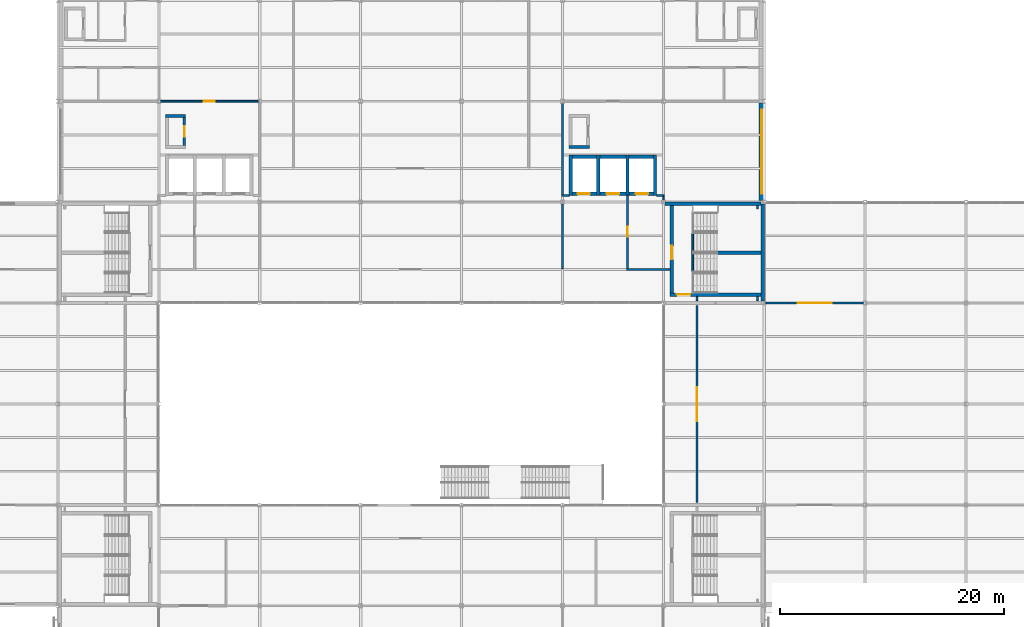
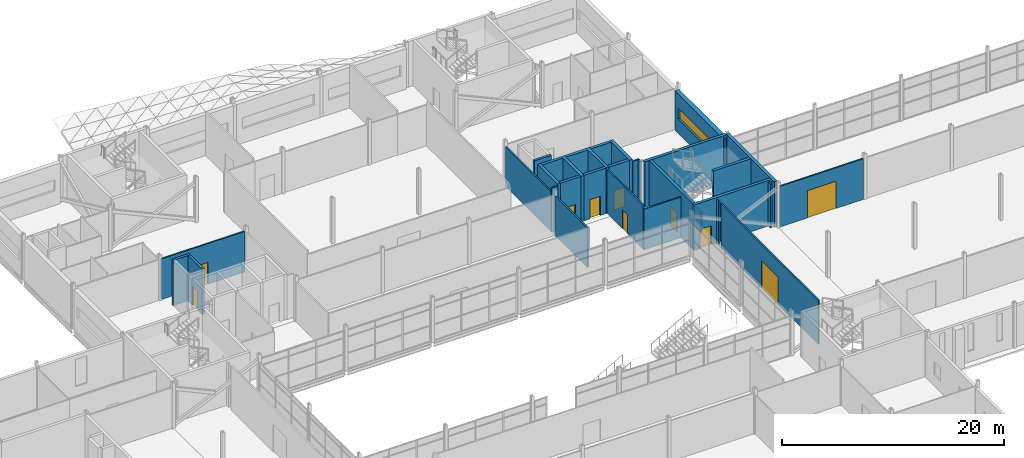
# One storey, part 85 of 112: 33 walls, 10 doors, 1 window, 11 openings.
"""IFC4 building model written with IfcOpenShell, lengths in metres."""

from ifc_helpers import new_model, si_unit, direction, frame, frame_2d, origin, place, context, subcontext, project, spatial, rectangle, extrude, material, layer, layer_set, type_object, element, fill, save


model = new_model("IFC4")

# Units and contexts
model_context = context("Model", 3, precision=1e-05, world=origin(), true_north=direction((0.0, 1.0)))
body_context = subcontext(model_context, "Body", "Model", "MODEL_VIEW")
ifc_project = project(units=[si_unit("LENGTHUNIT", "METRE"), si_unit("AREAUNIT", "SQUARE_METRE"), si_unit("VOLUMEUNIT", "CUBIC_METRE"), si_unit("PLANEANGLEUNIT", "RADIAN"), si_unit("MASSUNIT", "GRAM", prefix="KILO")], contexts=[model_context])

# Site, building, storey
site_placement = place(None, origin())
site = spatial("IfcSite", under=ifc_project, at=site_placement, CompositionType="ELEMENT")
building_placement = place(site_placement, origin())
building = spatial("IfcBuilding", under=site, at=building_placement, Name="Shorebreak Coast Museum", CompositionType="ELEMENT")
storey_placement = place(building_placement, frame((0.0, 0.0, 6.0)))
storey = spatial("IfcBuildingStorey", under=building, at=storey_placement, Name="L01", CompositionType="ELEMENT", Elevation=6.0)

# Wall, opening, window
ifc_material_1 = material(Name="Concrete N50 (50 MPa)", Category="concrete")
ifc_layer_1 = layer(ifc_material_1, 0.449951171875)
ifc_layer_set_1 = layer_set([ifc_layer_1], Name="Concrete N50 (50 MPa)")
wall_type_1 = type_object("IfcWallType", Name="Deep-set precast panel 450", PredefinedType="SOLIDWALL", material=ifc_layer_set_1)
wall_1_placement = place(storey_placement, frame((116.77490234375, 90.16357421875, 0.0), z_axis=(0.0, 0.0, 1.0), x_axis=(0.0, 1.0, 0.0)))
wall_1 = element("IfcWall", 1, at=wall_1_placement, inside=storey, type_object=wall_type_1, Name="External wall L01 E 14L", PredefinedType="SOLIDWALL", context=body_context, shape_type="SweptSolid", body=[
    extrude(rectangle(XDim=8.675537109375, YDim=0.449951171875, at=frame_2d((4.337890625, 0.0))), origin(), (0.0, 0.0, 1.0), 4.364501953125),
])
opening_1_placement = place(wall_1_placement, frame((0.58642578125, 0.0, 1.60009765625)))
opening_1 = element("IfcOpeningElement", 2, at=opening_1_placement, cuts=wall_1, Name="Opening WN1014", PredefinedType="OPENING", context=body_context, shape_type="SweptSolid", body=[
    extrude(rectangle(XDim=7.5, YDim=1.199951171875, at=frame_2d((3.75, 0.60009765625))), frame((0.0, 0.23486328125, 0.0), z_axis=(0.0, -1.0, 0.0), x_axis=(1.0, 0.0, 0.0)), (0.0, 0.0, 1.0), 0.469970703125),
])
ifc_material_2 = material(Name="Aluminium", Category="aluminium")
window_type = type_object("IfcWindowType", Name="Ribbon window 7500 x 1200", PartitioningType="SINGLE_PANEL", PredefinedType="WINDOW", material=ifc_material_2)
window_placement = place(opening_1_placement, origin())
window = element("IfcWindow", 3, at=window_placement, inside=storey, type_object=window_type, Name="Window WN1014", OverallHeight=1.199951171875, OverallWidth=7.5, PartitioningType="SINGLE_PANEL", PredefinedType="WINDOW", context=body_context, shape_type="SweptSolid", body=[
    extrude(rectangle(XDim=7.5, YDim=1.199951171875, at=frame_2d((3.75, 0.60009765625))), frame((0.0, 0.030029296875, 0.0), z_axis=(0.0, -1.0, 0.0), x_axis=(1.0, 0.0, 0.0)), (0.0, 0.0, 1.0), 0.06005859375),
])
fill(opening_1, window)

# Wall, opening, door
ifc_material_3 = material(Name="Plasterboard on steel stud", Category="steel")
ifc_layer_2 = layer(ifc_material_3, 0.14990234375)
ifc_layer_set_2 = layer_set([ifc_layer_2], Name="Plasterboard on steel stud")
wall_type_2 = type_object("IfcWallType", Name="Fire partition 150", PredefinedType="PARTITIONING", material=ifc_layer_set_2)
wall_2_placement = place(storey_placement, frame((117.154541015625, 81.0, 0.0), z_axis=(0.0, 0.0, 1.0), x_axis=(1.0, 0.0, 0.0)))
wall_2 = element("IfcWall", 4, at=wall_2_placement, inside=storey, type_object=wall_type_2, Name="Partition L01-052", PredefinedType="PARTITIONING", context=body_context, shape_type="SweptSolid", body=[
    extrude(rectangle(XDim=8.69091796875, YDim=0.14990234375, at=frame_2d((4.345458984375, 0.0))), origin(), (0.0, 0.0, 1.0), 4.469482421875),
])
opening_2_placement = place(wall_2_placement, frame((2.85009765625, 0.0, 0.0)))
opening_2 = element("IfcOpeningElement", 5, at=opening_2_placement, cuts=wall_2, Name="Opening D1057", PredefinedType="OPENING", context=body_context, shape_type="SweptSolid", body=[
    extrude(rectangle(XDim=3.0, YDim=3.0, at=frame_2d((1.5, 1.5))), frame((0.0, 0.0849609375, 0.0), z_axis=(0.0, -1.0, 0.0), x_axis=(1.0, 0.0, 0.0)), (0.0, 0.0, 1.0), 0.169921875),
])
ifc_material_4 = material(Name="Steel", Category="steel")
door_type_1 = type_object("IfcDoorType", Name="Fire door 3000x3000 60", OperationType="DOUBLE_DOOR_SINGLE_SWING", PredefinedType="DOOR", material=ifc_material_4)
door_1_placement = place(opening_2_placement, origin())
door_1 = element("IfcDoor", 6, at=door_1_placement, inside=storey, type_object=door_type_1, Name="Door D1057 Temporary Gallery 1.02", OperationType="DOUBLE_DOOR_SINGLE_SWING", OverallHeight=3.0, OverallWidth=3.0, PredefinedType="DOOR", context=body_context, shape_type="SweptSolid", body=[
    extrude(rectangle(XDim=3.0, YDim=3.0, at=frame_2d((1.5, 1.5))), frame((0.0, 0.02490234375, 0.0), z_axis=(0.0, -1.0, 0.0), x_axis=(1.0, 0.0, 0.0)), (0.0, 0.0, 1.0), 0.050048828125),
])
fill(opening_2, door_1)

# Walls
wall_3_placement = place(storey_placement, frame((104.72509765625, 84.0, 0.0), z_axis=(0.0, 0.0, 1.0), x_axis=(1.0, 0.0, 0.0)))
element("IfcWall", 7, at=wall_3_placement, inside=storey, type_object=wall_type_2, Name="Partition L01-061", PredefinedType="PARTITIONING", context=body_context, shape_type="SweptSolid", body=[
    extrude(rectangle(XDim=3.875, YDim=0.14990234375, at=frame_2d((1.9375, 0.0))), origin(), (0.0, 0.0, 1.0), 4.472900390625),
])
for number, where, z_axis, x_axis, name in (
    (8, (98.925048828125, 90.60009765625, 0.0), (0.0, 0.0, 1.0), (1.0, 0.0, 0.0), "Partition L01-067"),
    (9, (107.39990234375, 90.60009765625, 0.0), (0.0, 0.0, 1.0), (1.0, 0.0, 0.0), "Partition L01-068"),
):
    element("IfcWall", number, at=place(storey_placement, frame(where, z_axis=z_axis, x_axis=x_axis)), inside=storey, type_object=wall_type_2, Name=name, PredefinedType="PARTITIONING", context=body_context, shape_type="SweptSolid", body=[
        extrude(rectangle(XDim=0.675048828125, YDim=0.14990234375, at=frame_2d((0.33740234375, 0.0))), origin(), (0.0, 0.0, 1.0), 4.824951171875),
    ])

# Wall, opening, door
wall_4_placement = place(storey_placement, frame((63.154541015625, 99.0, 0.0), z_axis=(0.0, 0.0, 1.0), x_axis=(1.0, 0.0, 0.0)))
wall_4 = element("IfcWall", 10, at=wall_4_placement, inside=storey, type_object=wall_type_2, Name="Partition L01-071", PredefinedType="PARTITIONING", context=body_context, shape_type="SweptSolid", body=[
    extrude(rectangle(XDim=8.69091796875, YDim=0.14990234375, at=frame_2d((4.345458984375, 0.0))), origin(), (0.0, 0.0, 1.0), 4.46630859375),
])
opening_3_placement = place(wall_4_placement, frame((3.85009765625, 0.0, 0.0)))
opening_3 = element("IfcOpeningElement", 11, at=opening_3_placement, cuts=wall_4, Name="Opening D1005", PredefinedType="OPENING", context=body_context, shape_type="SweptSolid", body=[
    extrude(rectangle(XDim=1.0, YDim=2.39990234375, at=frame_2d((0.5, 1.199951171875))), frame((0.0, 0.0849609375, 0.0), z_axis=(0.0, -1.0, 0.0), x_axis=(1.0, 0.0, 0.0)), (0.0, 0.0, 1.0), 0.169921875),
])
ifc_material_5 = material(Name="Steel", Category="steel")
door_type_2 = type_object("IfcDoorType", Name="Fire door 1000x2400 60", OperationType="SINGLE_SWING_LEFT", PredefinedType="DOOR", material=ifc_material_5)
door_2_placement = place(opening_3_placement, origin())
door_2 = element("IfcDoor", 12, at=door_2_placement, inside=storey, type_object=door_type_2, Name="Door D1005 Lift Services Room W", OperationType="SINGLE_SWING_RIGHT", OverallHeight=2.39990234375, OverallWidth=1.0, PredefinedType="DOOR", context=body_context, shape_type="SweptSolid", body=[
    extrude(rectangle(XDim=1.0, YDim=2.39990234375, at=frame_2d((0.5, 1.199951171875))), frame((0.0, 0.02490234375, 0.0), z_axis=(0.0, -1.0, 0.0), x_axis=(1.0, 0.0, 0.0)), (0.0, 0.0, 1.0), 0.050048828125),
])
fill(opening_3, door_2)

# Walls
wall_5_placement = place(storey_placement, frame((99.0, 84.074951171875, 0.0), z_axis=(0.0, 0.0, 1.0), x_axis=(0.0, 1.0, 0.0)))
element("IfcWall", 13, at=wall_5_placement, inside=storey, type_object=wall_type_2, Name="Partition L01-146", PredefinedType="PARTITIONING", context=body_context, shape_type="SweptSolid", body=[
    extrude(rectangle(XDim=5.761474609375, YDim=0.14990234375, at=frame_2d((2.880859375, 0.0))), origin(), (0.0, 0.0, 1.0), 4.364501953125),
])
wall_6_placement = place(storey_placement, frame((99.0, 90.675048828125, 0.0), z_axis=(0.0, 0.0, 1.0), x_axis=(0.0, 1.0, 0.0)))
element("IfcWall", 14, at=wall_6_placement, inside=storey, type_object=wall_type_2, Name="Partition L01-147", PredefinedType="PARTITIONING", context=body_context, shape_type="SweptSolid", body=[
    extrude(rectangle(XDim=8.16455078125, YDim=0.14990234375, at=frame_2d((4.082275390625, 0.0))), origin(), (0.0, 0.0, 1.0), 4.364501953125),
])

# Wall, opening, door
wall_7_placement = place(storey_placement, frame((104.800048828125, 84.074951171875, 0.0), z_axis=(0.0, 0.0, 1.0), x_axis=(0.0, 1.0, 0.0)))
wall_7 = element("IfcWall", 15, at=wall_7_placement, inside=storey, type_object=wall_type_2, Name="Partition L01-150", PredefinedType="PARTITIONING", context=body_context, shape_type="SweptSolid", body=[
    extrude(rectangle(XDim=6.525146484375, YDim=0.14990234375, at=frame_2d((3.2626953125, 0.0))), origin(), (0.0, 0.0, 1.0), 4.824951171875),
])
opening_4_placement = place(wall_7_placement, frame((2.85009765625, 0.0, 0.0)))
opening_4 = element("IfcOpeningElement", 16, at=opening_4_placement, cuts=wall_7, Name="Opening D1002", PredefinedType="OPENING", context=body_context, shape_type="SweptSolid", body=[
    extrude(rectangle(XDim=0.89990234375, YDim=2.10009765625, at=frame_2d((0.449951171875, 1.050048828125))), frame((0.0, 0.0849609375, 0.0), z_axis=(0.0, -1.0, 0.0), x_axis=(1.0, 0.0, 0.0)), (0.0, 0.0, 1.0), 0.169921875),
])
ifc_material_6 = material(Name="Steel", Category="steel")
door_type_3 = type_object("IfcDoorType", Name="Fire door 900x2100 60", OperationType="SINGLE_SWING_LEFT", PredefinedType="DOOR", material=ifc_material_6)
door_3_placement = place(opening_4_placement, origin())
door_3 = element("IfcDoor", 17, at=door_3_placement, inside=storey, type_object=door_type_3, Name="Door D1002 Firefighting Lift Lobby E", OperationType="SINGLE_SWING_RIGHT", OverallHeight=2.10009765625, OverallWidth=0.89990234375, PredefinedType="DOOR", context=body_context, shape_type="SweptSolid", body=[
    extrude(rectangle(XDim=0.89990234375, YDim=2.10009765625, at=frame_2d((0.449951171875, 1.050048828125))), frame((0.0, 0.02490234375, 0.0), z_axis=(0.0, -1.0, 0.0), x_axis=(1.0, 0.0, 0.0)), (0.0, 0.0, 1.0), 0.050048828125),
])
fill(opening_4, door_3)

# Wall
wall_8_placement = place(storey_placement, frame((108.0, 90.16357421875, 0.0), z_axis=(0.0, 0.0, 1.0), x_axis=(0.0, 1.0, 0.0)))
element("IfcWall", 18, at=wall_8_placement, inside=storey, type_object=wall_type_2, Name="Partition L01-156", PredefinedType="PARTITIONING", context=body_context, shape_type="SweptSolid", body=[
    extrude(rectangle(XDim=0.361328125, YDim=0.14990234375, at=frame_2d((0.1806640625, 0.0))), origin(), (0.0, 0.0, 1.0), 4.824951171875),
])

# Wall, opening, door
wall_9_placement = place(storey_placement, frame((111.0, 63.219970703125, 0.0), z_axis=(0.0, 0.0, 1.0), x_axis=(0.0, 1.0, 0.0)))
wall_9 = element("IfcWall", 19, at=wall_9_placement, inside=storey, type_object=wall_type_2, Name="Partition L01-162", PredefinedType="PARTITIONING", context=body_context, shape_type="SweptSolid", body=[
    extrude(rectangle(XDim=17.56005859375, YDim=0.14990234375, at=frame_2d((8.780029296875, 0.0))), origin(), (0.0, 0.0, 1.0), 4.824951171875),
])
opening_5_placement = place(wall_9_placement, frame((7.25, 0.0, 0.0)))
opening_5 = element("IfcOpeningElement", 20, at=opening_5_placement, cuts=wall_9, Name="Opening D1060", PredefinedType="OPENING", context=body_context, shape_type="SweptSolid", body=[
    extrude(rectangle(XDim=3.0, YDim=3.0, at=frame_2d((1.5, 1.5))), frame((0.0, 0.0849609375, 0.0), z_axis=(0.0, -1.0, 0.0), x_axis=(1.0, 0.0, 0.0)), (0.0, 0.0, 1.0), 0.169921875),
])
door_4_placement = place(opening_5_placement, origin())
door_4 = element("IfcDoor", 21, at=door_4_placement, inside=storey, type_object=door_type_1, Name="Door D1060 Temporary Gallery 1.02", OperationType="DOUBLE_DOOR_SINGLE_SWING", OverallHeight=3.0, OverallWidth=3.0, PredefinedType="DOOR", context=body_context, shape_type="SweptSolid", body=[
    extrude(rectangle(XDim=3.0, YDim=3.0, at=frame_2d((1.5, 1.5))), frame((0.0, 0.02490234375, 0.0), z_axis=(0.0, -1.0, 0.0), x_axis=(1.0, 0.0, 0.0)), (0.0, 0.0, 1.0), 0.050048828125),
])
fill(opening_5, door_4)

# Walls
for number, where, z_axis, x_axis, name in (
    (22, (111.0, 81.219970703125, 0.0), (0.0, 0.0, 1.0), (0.0, 1.0, 0.0), "Partition L01-163"),
    (23, (116.39990234375, 81.219970703125, 0.0), (0.0, 0.0, 1.0), (0.0, 1.0, 0.0), "Partition L01-172"),
):
    element("IfcWall", number, at=place(storey_placement, frame(where, z_axis=z_axis, x_axis=x_axis)), inside=storey, type_object=wall_type_2, Name=name, PredefinedType="PARTITIONING", context=body_context, shape_type="SweptSolid", body=[
        extrude(rectangle(XDim=0.380126953125, YDim=0.14990234375, at=frame_2d((0.18994140625, 0.0))), origin(), (0.0, 0.0, 1.0), 4.824951171875),
    ])
wall_10_placement = place(storey_placement, frame((116.39990234375, 89.39990234375, 0.0), z_axis=(0.0, 0.0, 1.0), x_axis=(0.0, 1.0, 0.0)))
element("IfcWall", 24, at=wall_10_placement, inside=storey, type_object=wall_type_2, Name="Partition L01-173", PredefinedType="PARTITIONING", context=body_context, shape_type="SweptSolid", body=[
    extrude(rectangle(XDim=0.300048828125, YDim=0.14990234375, at=frame_2d((0.14990234375, 0.0))), origin(), (0.0, 0.0, 1.0), 4.824951171875),
])
ifc_material_7 = material(Name="Concrete N50 (50 MPa)", Category="concrete")
ifc_layer_3 = layer(ifc_material_7, 0.25)
ifc_layer_set_3 = layer_set([ifc_layer_3], Name="Concrete N50 (50 MPa)")
wall_type_3 = type_object("IfcWallType", Name="RC riser wall 250", PredefinedType="STANDARD", material=ifc_layer_set_3)
wall_11_placement = place(storey_placement, frame((63.60009765625, 97.675048828125, 0.0), z_axis=(0.0, 0.0, 1.0), x_axis=(1.0, 0.0, 0.0)))
element("IfcWall", 25, at=wall_11_placement, inside=storey, type_object=wall_type_3, Name="Riser wall R-LBW L01 N", PredefinedType="STANDARD", context=body_context, shape_type="SweptSolid", body=[
    extrude(rectangle(XDim=1.7998046875, YDim=0.25, at=frame_2d((0.89990234375, 0.0))), origin(), (0.0, 0.0, 1.0), 5.0),
])

# Wall, opening, door
wall_12_placement = place(storey_placement, frame((65.27490234375, 95.050048828125, 0.0), z_axis=(0.0, 0.0, 1.0), x_axis=(0.0, 1.0, 0.0)))
wall_12 = element("IfcWall", 26, at=wall_12_placement, inside=storey, type_object=wall_type_3, Name="Riser wall R-LBW L01 E", PredefinedType="STANDARD", context=body_context, shape_type="SweptSolid", body=[
    extrude(rectangle(XDim=2.5, YDim=0.25, at=frame_2d((1.25, 0.0))), origin(), (0.0, 0.0, 1.0), 5.0),
])
opening_6_placement = place(wall_12_placement, frame((0.800048828125, 0.0, 0.0)))
opening_6 = element("IfcOpeningElement", 27, at=opening_6_placement, cuts=wall_12, Name="Opening D1606", PredefinedType="OPENING", context=body_context, shape_type="SweptSolid", body=[
    extrude(rectangle(XDim=0.89990234375, YDim=2.10009765625, at=frame_2d((0.449951171875, 1.050048828125))), frame((0.0, 0.135009765625, 0.0), z_axis=(0.0, -1.0, 0.0), x_axis=(1.0, 0.0, 0.0)), (0.0, 0.0, 1.0), 0.27001953125),
])
ifc_material_8 = material(Name="Steel Grade 300", Category="steel")
door_type_4 = type_object("IfcDoorType", Name="Riser door 900x2100", OperationType="SINGLE_SWING_LEFT", PredefinedType="DOOR", material=ifc_material_8)
door_5_placement = place(opening_6_placement, origin())
door_5 = element("IfcDoor", 28, at=door_5_placement, inside=storey, type_object=door_type_4, Name="Riser door R-LBW L01", OperationType="SINGLE_SWING_LEFT", OverallHeight=2.10009765625, OverallWidth=0.89990234375, PredefinedType="DOOR", context=body_context, shape_type="SweptSolid", body=[
    extrude(rectangle(XDim=0.89990234375, YDim=2.10009765625, at=frame_2d((0.449951171875, 1.050048828125))), frame((0.0, 0.02490234375, 0.0), z_axis=(0.0, -1.0, 0.0), x_axis=(1.0, 0.0, 0.0)), (0.0, 0.0, 1.0), 0.050048828125),
])
fill(opening_6, door_5)

# Wall
wall_13_placement = place(storey_placement, frame((99.60009765625, 94.925048828125, 0.0), z_axis=(0.0, 0.0, 1.0), x_axis=(1.0, 0.0, 0.0)))
element("IfcWall", 29, at=wall_13_placement, inside=storey, type_object=wall_type_3, Name="Riser wall R-LBE L01 S", PredefinedType="STANDARD", context=body_context, shape_type="SweptSolid", body=[
    extrude(rectangle(XDim=1.7998046875, YDim=0.25, at=frame_2d((0.89990234375, 0.0))), origin(), (0.0, 0.0, 1.0), 5.0),
])

# Wall, opening, door
ifc_material_9 = material(Name="Concrete N50 (50 MPa)", Category="concrete")
ifc_layer_4 = layer(ifc_material_9, 0.300048828125)
ifc_layer_set_4 = layer_set([ifc_layer_4], Name="Concrete N50 (50 MPa)")
wall_type_4 = type_object("IfcWallType", Name="RC wall 300", PredefinedType="SHEAR", material=ifc_layer_set_4)
wall_14_placement = place(storey_placement, frame((108.60009765625, 81.75, 0.0), z_axis=(0.0, 0.0, 1.0), x_axis=(1.0, 0.0, 0.0)))
wall_14 = element("IfcWall", 30, at=wall_14_placement, inside=storey, type_object=wall_type_4, Name="Stair core wall ST04 L01 S", PredefinedType="SHEAR", context=body_context, shape_type="SweptSolid", body=[
    extrude(rectangle(XDim=8.099853515625, YDim=0.300048828125, at=frame_2d((4.0498046875, 0.0))), origin(), (0.0, 0.0, 1.0), 5.0),
])
opening_7_placement = place(wall_14_placement, frame((0.60009765625, 0.0, 0.0)))
opening_7 = element("IfcOpeningElement", 31, at=opening_7_placement, cuts=wall_14, Name="Opening D1704", PredefinedType="OPENING", context=body_context, shape_type="SweptSolid", body=[
    extrude(rectangle(XDim=1.199951171875, YDim=2.10009765625, at=frame_2d((0.60009765625, 1.050048828125))), frame((0.0, 0.159912109375, 0.0), z_axis=(0.0, -1.0, 0.0), x_axis=(1.0, 0.0, 0.0)), (0.0, 0.0, 1.0), 0.320068359375),
])
ifc_material_10 = material(Name="Steel Grade 300", Category="steel")
door_type_5 = type_object("IfcDoorType", Name="Fire door 1200x2100", OperationType="SINGLE_SWING_LEFT", PredefinedType="DOOR", material=ifc_material_10)
door_6_placement = place(opening_7_placement, origin())
door_6 = element("IfcDoor", 32, at=door_6_placement, inside=storey, type_object=door_type_5, Name="Stair door ST04 L01 south", OperationType="SINGLE_SWING_RIGHT", OverallHeight=2.10009765625, OverallWidth=1.199951171875, PredefinedType="DOOR", context=body_context, shape_type="SweptSolid", body=[
    extrude(rectangle(XDim=1.199951171875, YDim=2.10009765625, at=frame_2d((0.60009765625, 1.050048828125))), frame((0.0, 0.02490234375, 0.0), z_axis=(0.0, -1.0, 0.0), x_axis=(1.0, 0.0, 0.0)), (0.0, 0.0, 1.0), 0.050048828125),
])
fill(opening_7, door_6)

# Wall
wall_15_placement = place(storey_placement, frame((108.155517578125, 89.85009765625, 0.0), z_axis=(0.0, 0.0, 1.0), x_axis=(1.0, 0.0, 0.0)))
element("IfcWall", 33, at=wall_15_placement, inside=storey, type_object=wall_type_4, Name="Stair core wall ST04 L01 N", PredefinedType="SHEAR", context=body_context, shape_type="SweptSolid", body=[
    extrude(rectangle(XDim=8.54443359375, YDim=0.300048828125, at=frame_2d((4.272216796875, 0.0))), origin(), (0.0, 0.0, 1.0), 5.0),
])

# Wall, opening, door
wall_16_placement = place(storey_placement, frame((108.75, 81.89990234375, 0.0), z_axis=(0.0, 0.0, 1.0), x_axis=(0.0, 1.0, 0.0)))
wall_16 = element("IfcWall", 34, at=wall_16_placement, inside=storey, type_object=wall_type_4, Name="Stair core wall ST04 L01 W", PredefinedType="SHEAR", context=body_context, shape_type="SweptSolid", body=[
    extrude(rectangle(XDim=7.800048828125, YDim=0.300048828125, at=frame_2d((3.89990234375, 0.0))), origin(), (0.0, 0.0, 1.0), 5.0),
])
opening_8_placement = place(wall_16_placement, frame((3.0, 0.0, 0.0)))
opening_8 = element("IfcOpeningElement", 35, at=opening_8_placement, cuts=wall_16, Name="Opening D1804", PredefinedType="OPENING", context=body_context, shape_type="SweptSolid", body=[
    extrude(rectangle(XDim=1.199951171875, YDim=2.10009765625, at=frame_2d((0.60009765625, 1.050048828125))), frame((0.0, 0.159912109375, 0.0), z_axis=(0.0, -1.0, 0.0), x_axis=(1.0, 0.0, 0.0)), (0.0, 0.0, 1.0), 0.320068359375),
])
door_7_placement = place(opening_8_placement, origin())
door_7 = element("IfcDoor", 36, at=door_7_placement, inside=storey, type_object=door_type_5, Name="Stair door ST04 L01", OperationType="SINGLE_SWING_LEFT", OverallHeight=2.10009765625, OverallWidth=1.199951171875, PredefinedType="DOOR", context=body_context, shape_type="SweptSolid", body=[
    extrude(rectangle(XDim=1.199951171875, YDim=2.10009765625, at=frame_2d((0.60009765625, 1.050048828125))), frame((0.0, 0.02490234375, 0.0), z_axis=(0.0, -1.0, 0.0), x_axis=(1.0, 0.0, 0.0)), (0.0, 0.0, 1.0), 0.050048828125),
])
fill(opening_8, door_7)

# Walls
wall_17_placement = place(storey_placement, frame((116.85009765625, 81.160400390625, 0.0), z_axis=(0.0, 0.0, 1.0), x_axis=(0.0, 1.0, 0.0)))
element("IfcWall", 37, at=wall_17_placement, inside=storey, type_object=wall_type_4, Name="Stair core wall ST04 L01 E", PredefinedType="SHEAR", context=body_context, shape_type="SweptSolid", body=[
    extrude(rectangle(XDim=8.676025390625, YDim=0.300048828125, at=frame_2d((4.337890625, 0.0))), origin(), (0.0, 0.0, 1.0), 5.0),
])
wall_18_placement = place(storey_placement, frame((112.800048828125, 85.5, 0.0), z_axis=(0.0, 0.0, 1.0), x_axis=(1.0, 0.0, 0.0)))
element("IfcWall", 38, at=wall_18_placement, inside=storey, type_object=wall_type_4, Name="Stair spine wall ST04 L01", PredefinedType="SHEAR", context=body_context, shape_type="SweptSolid", body=[
    extrude(rectangle(XDim=3.89990234375, YDim=0.300048828125, at=frame_2d((1.949951171875, 0.0))), origin(), (0.0, 0.0, 1.0), 5.0),
])
for number, where, z_axis, x_axis, name in (
    (39, (99.75, 90.60009765625, 0.0), (0.0, 0.0, 1.0), (0.0, 1.0, 0.0), "Lift shaft wall LBE L01 1"),
    (40, (102.199951171875, 90.60009765625, 0.0), (0.0, 0.0, 1.0), (0.0, 1.0, 0.0), "Lift shaft wall LBE L01 2"),
    (41, (104.800048828125, 90.60009765625, 0.0), (0.0, 0.0, 1.0), (0.0, 1.0, 0.0), "Lift shaft wall LBE L01 3"),
    (42, (107.25, 90.60009765625, 0.0), (0.0, 0.0, 1.0), (0.0, 1.0, 0.0), "Lift shaft wall LBE L01 4"),
):
    element("IfcWall", number, at=place(storey_placement, frame(where, z_axis=z_axis, x_axis=x_axis)), inside=storey, type_object=wall_type_4, Name=name, PredefinedType="SHEAR", context=body_context, shape_type="SweptSolid", body=[
        extrude(rectangle(XDim=3.599853515625, YDim=0.300048828125, at=frame_2d((1.7998046875, 0.0))), origin(), (0.0, 0.0, 1.0), 5.0),
    ])

# Wall, opening, door
wall_19_placement = place(storey_placement, frame((99.89990234375, 90.75, 0.0), z_axis=(0.0, 0.0, 1.0), x_axis=(1.0, 0.0, 0.0)))
wall_19 = element("IfcWall", 43, at=wall_19_placement, inside=storey, type_object=wall_type_4, Name="Lift shaft wall P3 L01 F", PredefinedType="SHEAR", context=body_context, shape_type="SweptSolid", body=[
    extrude(rectangle(XDim=2.150146484375, YDim=0.300048828125, at=frame_2d((1.0751953125, 0.0))), origin(), (0.0, 0.0, 1.0), 5.0),
])
opening_9_placement = place(wall_19_placement, frame((0.449951171875, 0.0, 0.0)))
opening_9 = element("IfcOpeningElement", 44, at=opening_9_placement, cuts=wall_19, Name="Opening LD1-P3", PredefinedType="OPENING", context=body_context, shape_type="SweptSolid", body=[
    extrude(rectangle(XDim=1.10009765625, YDim=2.10009765625, at=frame_2d((0.550048828125, 1.050048828125))), frame((0.0, 0.159912109375, 0.0), z_axis=(0.0, -1.0, 0.0), x_axis=(1.0, 0.0, 0.0)), (0.0, 0.0, 1.0), 0.320068359375),
])
ifc_material_11 = material(Name="Steel Grade 300", Category="steel")
door_type_6 = type_object("IfcDoorType", Name="Landing door 1100x2100", OperationType="DOUBLE_DOOR_SLIDING", PredefinedType="DOOR", material=ifc_material_11)
door_8_placement = place(opening_9_placement, origin())
door_8 = element("IfcDoor", 45, at=door_8_placement, inside=storey, type_object=door_type_6, Name="Landing door P3 L01", OperationType="DOUBLE_DOOR_SLIDING", OverallHeight=2.10009765625, OverallWidth=1.10009765625, PredefinedType="DOOR", context=body_context, shape_type="SweptSolid", body=[
    extrude(rectangle(XDim=1.10009765625, YDim=2.10009765625, at=frame_2d((0.550048828125, 1.050048828125))), frame((0.0, 0.02490234375, 0.0), z_axis=(0.0, -1.0, 0.0), x_axis=(1.0, 0.0, 0.0)), (0.0, 0.0, 1.0), 0.050048828125),
])
fill(opening_9, door_8)

# Wall
wall_20_placement = place(storey_placement, frame((99.89990234375, 94.050048828125, 0.0), z_axis=(0.0, 0.0, 1.0), x_axis=(1.0, 0.0, 0.0)))
element("IfcWall", 46, at=wall_20_placement, inside=storey, type_object=wall_type_4, Name="Lift shaft wall P3 L01 B", PredefinedType="SHEAR", context=body_context, shape_type="SweptSolid", body=[
    extrude(rectangle(XDim=2.150146484375, YDim=0.300048828125, at=frame_2d((1.0751953125, 0.0))), origin(), (0.0, 0.0, 1.0), 5.0),
])

# Wall, opening, door
wall_21_placement = place(storey_placement, frame((102.35009765625, 90.75, 0.0), z_axis=(0.0, 0.0, 1.0), x_axis=(1.0, 0.0, 0.0)))
wall_21 = element("IfcWall", 47, at=wall_21_placement, inside=storey, type_object=wall_type_4, Name="Lift shaft wall P4 L01 F", PredefinedType="SHEAR", context=body_context, shape_type="SweptSolid", body=[
    extrude(rectangle(XDim=2.2998046875, YDim=0.300048828125, at=frame_2d((1.14990234375, 0.0))), origin(), (0.0, 0.0, 1.0), 5.0),
])
opening_10_placement = place(wall_21_placement, frame((0.60009765625, 0.0, 0.0)))
opening_10 = element("IfcOpeningElement", 48, at=opening_10_placement, cuts=wall_21, Name="Opening LD1-P4", PredefinedType="OPENING", context=body_context, shape_type="SweptSolid", body=[
    extrude(rectangle(XDim=1.10009765625, YDim=2.10009765625, at=frame_2d((0.550048828125, 1.050048828125))), frame((0.0, 0.159912109375, 0.0), z_axis=(0.0, -1.0, 0.0), x_axis=(1.0, 0.0, 0.0)), (0.0, 0.0, 1.0), 0.320068359375),
])
door_9_placement = place(opening_10_placement, origin())
door_9 = element("IfcDoor", 49, at=door_9_placement, inside=storey, type_object=door_type_6, Name="Landing door P4 L01", OperationType="DOUBLE_DOOR_SLIDING", OverallHeight=2.10009765625, OverallWidth=1.10009765625, PredefinedType="DOOR", context=body_context, shape_type="SweptSolid", body=[
    extrude(rectangle(XDim=1.10009765625, YDim=2.10009765625, at=frame_2d((0.550048828125, 1.050048828125))), frame((0.0, 0.02490234375, 0.0), z_axis=(0.0, -1.0, 0.0), x_axis=(1.0, 0.0, 0.0)), (0.0, 0.0, 1.0), 0.050048828125),
])
fill(opening_10, door_9)

# Wall
wall_22_placement = place(storey_placement, frame((102.35009765625, 94.050048828125, 0.0), z_axis=(0.0, 0.0, 1.0), x_axis=(1.0, 0.0, 0.0)))
element("IfcWall", 50, at=wall_22_placement, inside=storey, type_object=wall_type_4, Name="Lift shaft wall P4 L01 B", PredefinedType="SHEAR", context=body_context, shape_type="SweptSolid", body=[
    extrude(rectangle(XDim=2.2998046875, YDim=0.300048828125, at=frame_2d((1.14990234375, 0.0))), origin(), (0.0, 0.0, 1.0), 5.0),
])

# Wall, opening, door
wall_23_placement = place(storey_placement, frame((104.949951171875, 90.75, 0.0), z_axis=(0.0, 0.0, 1.0), x_axis=(1.0, 0.0, 0.0)))
wall_23 = element("IfcWall", 51, at=wall_23_placement, inside=storey, type_object=wall_type_4, Name="Lift shaft wall FL2 L01 F", PredefinedType="SHEAR", context=body_context, shape_type="SweptSolid", body=[
    extrude(rectangle(XDim=2.150146484375, YDim=0.300048828125, at=frame_2d((1.0751953125, 0.0))), origin(), (0.0, 0.0, 1.0), 5.0),
])
opening_11_placement = place(wall_23_placement, frame((0.60009765625, 0.0, 0.0)))
opening_11 = element("IfcOpeningElement", 52, at=opening_11_placement, cuts=wall_23, Name="Opening LD1-FL2", PredefinedType="OPENING", context=body_context, shape_type="SweptSolid", body=[
    extrude(rectangle(XDim=1.10009765625, YDim=2.10009765625, at=frame_2d((0.550048828125, 1.050048828125))), frame((0.0, 0.159912109375, 0.0), z_axis=(0.0, -1.0, 0.0), x_axis=(1.0, 0.0, 0.0)), (0.0, 0.0, 1.0), 0.320068359375),
])
door_10_placement = place(opening_11_placement, origin())
door_10 = element("IfcDoor", 53, at=door_10_placement, inside=storey, type_object=door_type_6, Name="Landing door FL2 L01", OperationType="DOUBLE_DOOR_SLIDING", OverallHeight=2.10009765625, OverallWidth=1.10009765625, PredefinedType="DOOR", context=body_context, shape_type="SweptSolid", body=[
    extrude(rectangle(XDim=1.10009765625, YDim=2.10009765625, at=frame_2d((0.550048828125, 1.050048828125))), frame((0.0, 0.02490234375, 0.0), z_axis=(0.0, -1.0, 0.0), x_axis=(1.0, 0.0, 0.0)), (0.0, 0.0, 1.0), 0.050048828125),
])
fill(opening_11, door_10)

# Walls
wall_24_placement = place(storey_placement, frame((104.949951171875, 94.050048828125, 0.0), z_axis=(0.0, 0.0, 1.0), x_axis=(1.0, 0.0, 0.0)))
element("IfcWall", 54, at=wall_24_placement, inside=storey, type_object=wall_type_4, Name="Lift shaft wall FL2 L01 B", PredefinedType="SHEAR", context=body_context, shape_type="SweptSolid", body=[
    extrude(rectangle(XDim=2.150146484375, YDim=0.300048828125, at=frame_2d((1.0751953125, 0.0))), origin(), (0.0, 0.0, 1.0), 5.0),
])
ifc_material_12 = material(Name="Concrete N50 (50 MPa)", Category="concrete")
ifc_layer_5 = layer(ifc_material_12, 0.14990234375)
ifc_layer_set_5 = layer_set([ifc_layer_5], Name="Concrete N50 (50 MPa)")
wall_type_5 = type_object("IfcWallType", Name="Understair wall 150", PredefinedType="STANDARD", material=ifc_layer_set_5)
wall_25_placement = place(storey_placement, frame((110.625, 83.699951171875, 0.0), z_axis=(0.0, 0.0, 1.0), x_axis=(0.0, 1.0, 0.0)))
element("IfcWall", 55, at=wall_25_placement, inside=storey, type_object=wall_type_5, Name="Understair wall ST04 L01 floor", PredefinedType="STANDARD", context=body_context, shape_type="SweptSolid", body=[
    extrude(rectangle(XDim=3.60009765625, YDim=0.14990234375, at=frame_2d((1.800048828125, 0.0))), origin(), (0.0, 0.0, 1.0), 2.300048828125),
])

save(model, "model.ifc")
